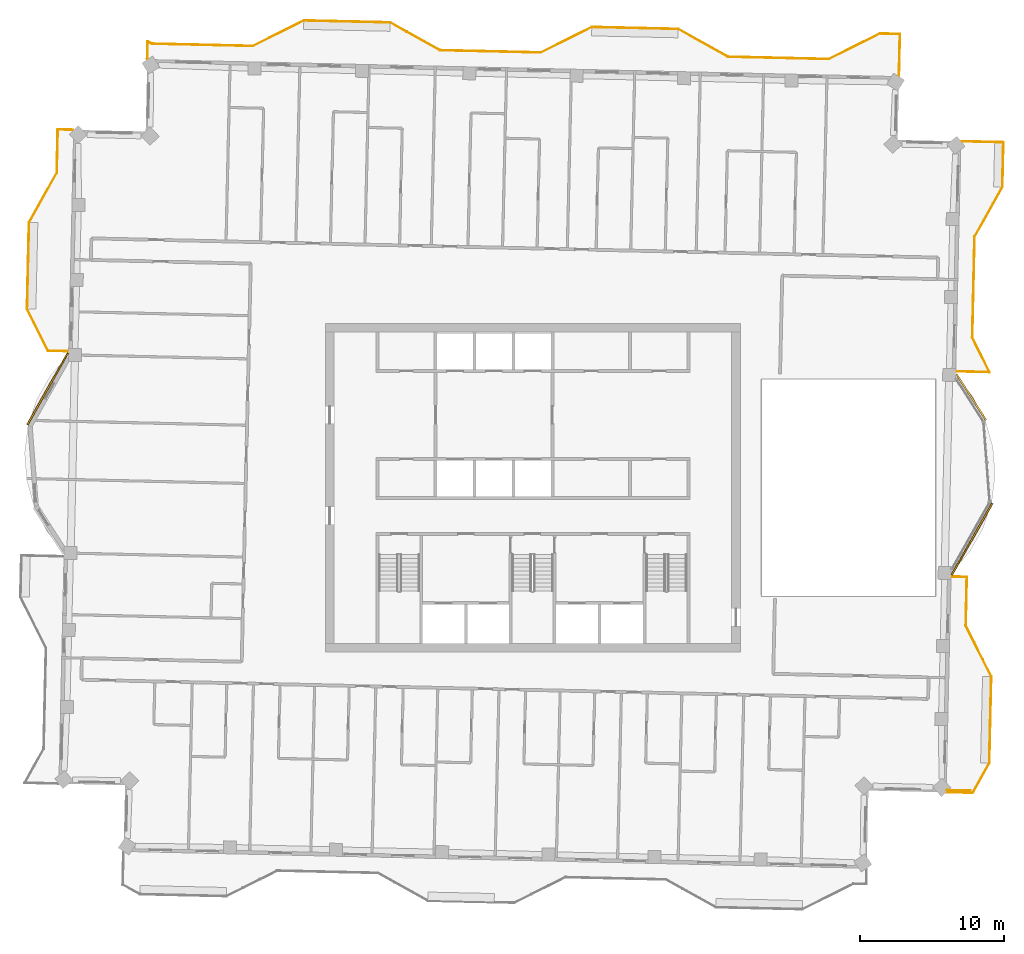
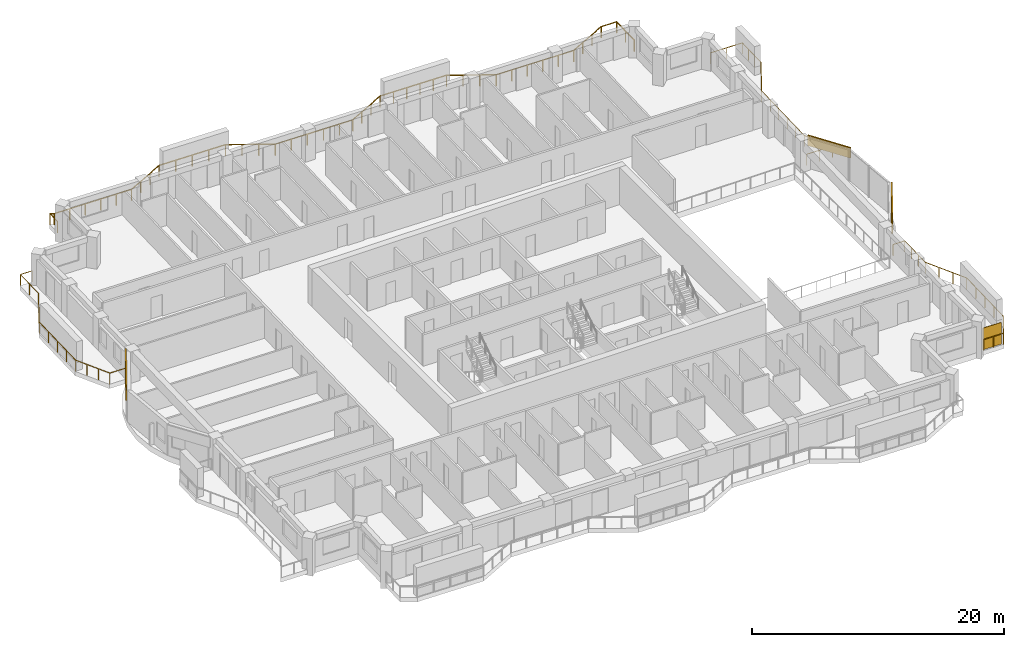
# One storey, part 15 of 15: 4 railings, 3 coverings, 1 shading device.
"""IFC4 building model written with IfcOpenShell, lengths in metres."""

from ifc_helpers import new_model, si_unit, direction, frame, frame_2d, origin, origin_2d, place, context, subcontext, project, spatial, rectangle, extrude, material, layer, layer_set, type_object, element, save


model = new_model("IFC4")

# Units and contexts
model_context = context("Model", 3, precision=1e-05, world=origin(), true_north=direction((0.0, 1.0)))
body_context = subcontext(model_context, "Body", "Model", "MODEL_VIEW")
ifc_project = project(units=[si_unit("LENGTHUNIT", "METRE"), si_unit("AREAUNIT", "SQUARE_METRE"), si_unit("VOLUMEUNIT", "CUBIC_METRE"), si_unit("PLANEANGLEUNIT", "RADIAN"), si_unit("MASSUNIT", "GRAM", prefix="KILO")], contexts=[model_context])

# Site, building, storey
site_placement = place(None, origin())
site = spatial("IfcSite", under=ifc_project, at=site_placement, CompositionType="ELEMENT")
building_placement = place(site_placement, origin())
building = spatial("IfcBuilding", under=site, at=building_placement, Name="Mangrove Gate Tower", CompositionType="ELEMENT")
storey_placement = place(building_placement, frame((0.0, 0.0, 313.300048828125)))
storey = spatial("IfcBuildingStorey", under=building, at=storey_placement, Name="L80", CompositionType="ELEMENT", Elevation=313.300048828125)

# Railings
ifc_material_1 = material(Name="Stainless steel grade 316 with laminated glass infill", Category="steel")
railing_type = type_object("IfcRailingType", Name="Balcony guard 1100", PredefinedType="GUARDRAIL", material=ifc_material_1)
railing_1_placement = place(storey_placement, frame((28.73095703125, -21.14404296875, 0.0)))
element("IfcRailing", 1, at=railing_1_placement, inside=storey, type_object=railing_type, Name="GUARD L80 E1", PredefinedType="GUARDRAIL", context=body_context, shape_type="SweptSolid", body=[
    extrude(rectangle(XDim=0.048095703125, YDim=0.048095703125, at=origin_2d()), frame((0.0, 0.0, 1.076171875), z_axis=(0.999740222102, -0.022792286241, 0.0), x_axis=(0.022792286241, 0.999740222102, 0.0)), (0.0, 0.0, 1.0), 1.799560546875),
    extrude(rectangle(XDim=0.048095703125, YDim=0.048095703125, at=origin_2d()), frame((1.799072265625, -0.041015625, 1.076171875), z_axis=(0.487316968257, 0.873225155644, 0.0), x_axis=(-0.873225155644, 0.487316968257, 0.0)), (0.0, 0.0, 1.0), 2.376220703125),
    extrude(rectangle(XDim=0.048095703125, YDim=0.048095703125, at=origin_2d()), frame((2.95703125, 2.033935546875, 1.076171875), z_axis=(0.022665943652, 0.999743094499, 0.0), x_axis=(-0.999743094499, 0.022665943652, 0.0)), (0.0, 0.0, 1.0), 5.99951171875),
    extrude(rectangle(XDim=0.048095703125, YDim=0.048095703125, at=origin_2d()), frame((3.093017578125, 8.031982421875, 1.076171875), z_axis=(-0.447114919141, 0.894476522376, 0.0), x_axis=(-0.894476522376, -0.447114919141, 0.0)), (0.0, 0.0, 1.0), 3.958740234375),
    extrude(rectangle(XDim=0.048095703125, YDim=0.048095703125, at=origin_2d()), frame((1.322998046875, 11.572998046875, 1.076171875), z_axis=(0.022497922048, 0.999746889719, 0.0), x_axis=(-0.999746889719, 0.022497922048, 0.0)), (0.0, 0.0, 1.0), 3.374755859375),
    extrude(rectangle(XDim=0.048095703125, YDim=0.048095703125, at=origin_2d()), frame((1.39892578125, 14.947021484375, 1.076171875), z_axis=(-0.999745272039, 0.02256969285, 0.0), x_axis=(-0.02256969285, -0.999745272039, 0.0)), (0.0, 0.0, 1.0), 1.06005859375),
    extrude(rectangle(XDim=0.0419921875, YDim=0.0419921875, at=origin_2d()), origin(), (0.0, 0.0, 1.0), 1.052001953125),
    extrude(rectangle(XDim=0.0419921875, YDim=0.0419921875, at=origin_2d()), frame((0.8994140625, -0.0205078125, 0.0)), (0.0, 0.0, 1.0), 1.052001953125),
    extrude(rectangle(XDim=0.0419921875, YDim=0.0419921875, at=origin_2d()), frame((1.799072265625, -0.041015625, 0.0)), (0.0, 0.0, 1.0), 1.052001953125),
    extrude(rectangle(XDim=0.0419921875, YDim=0.0419921875, at=origin_2d()), frame((2.3779296875, 0.99658203125, 0.0)), (0.0, 0.0, 1.0), 1.052001953125),
    extrude(rectangle(XDim=0.0419921875, YDim=0.0419921875, at=origin_2d()), frame((2.95703125, 2.033935546875, 0.0)), (0.0, 0.0, 1.0), 1.052001953125),
    extrude(rectangle(XDim=0.0419921875, YDim=0.0419921875, at=origin_2d()), frame((2.990966796875, 3.533447265625, 0.0)), (0.0, 0.0, 1.0), 1.052001953125),
    extrude(rectangle(XDim=0.0419921875, YDim=0.0419921875, at=origin_2d()), frame((3.02490234375, 5.032958984375, 0.0)), (0.0, 0.0, 1.0), 1.052001953125),
    extrude(rectangle(XDim=0.0419921875, YDim=0.0419921875, at=origin_2d()), frame((3.05908203125, 6.532470703125, 0.0)), (0.0, 0.0, 1.0), 1.052001953125),
    extrude(rectangle(XDim=0.0419921875, YDim=0.0419921875, at=origin_2d()), frame((3.093017578125, 8.031982421875, 0.0)), (0.0, 0.0, 1.0), 1.052001953125),
    extrude(rectangle(XDim=0.0419921875, YDim=0.0419921875, at=origin_2d()), frame((2.5029296875, 9.21240234375, 0.0)), (0.0, 0.0, 1.0), 1.052001953125),
    extrude(rectangle(XDim=0.0419921875, YDim=0.0419921875, at=origin_2d()), frame((1.9130859375, 10.392578125, 0.0)), (0.0, 0.0, 1.0), 1.052001953125),
    extrude(rectangle(XDim=0.0419921875, YDim=0.0419921875, at=origin_2d()), frame((1.322998046875, 11.572998046875, 0.0)), (0.0, 0.0, 1.0), 1.052001953125),
    extrude(rectangle(XDim=0.0419921875, YDim=0.0419921875, at=origin_2d()), frame((1.348388671875, 12.69775390625, 0.0)), (0.0, 0.0, 1.0), 1.052001953125),
    extrude(rectangle(XDim=0.0419921875, YDim=0.0419921875, at=origin_2d()), frame((1.37353515625, 13.822265625, 0.0)), (0.0, 0.0, 1.0), 1.052001953125),
    extrude(rectangle(XDim=0.0419921875, YDim=0.0419921875, at=origin_2d()), frame((1.39892578125, 14.947021484375, 0.0)), (0.0, 0.0, 1.0), 1.052001953125),
    extrude(rectangle(XDim=0.0419921875, YDim=0.0419921875, at=origin_2d()), frame((0.339111328125, 14.970947265625, 0.0)), (0.0, 0.0, 1.0), 1.052001953125),
])
railing_2_placement = place(storey_placement, frame((29.39404296875, 8.073974609375, 0.0)))
element("IfcRailing", 2, at=railing_2_placement, inside=storey, type_object=railing_type, Name="GUARD L80 E2", PredefinedType="GUARDRAIL", context=body_context, shape_type="SweptSolid", body=[
    extrude(rectangle(XDim=0.048095703125, YDim=0.048095703125, at=origin_2d()), frame((0.0, 0.0, 1.076171875), z_axis=(0.999738009607, -0.022889127251, 0.0), x_axis=(0.022889127251, 0.999738009607, 0.0)), (0.0, 0.0, 1.0), 2.314453125),
    extrude(rectangle(XDim=0.048095703125, YDim=0.048095703125, at=origin_2d()), frame((2.31396484375, -0.052978515625, 1.076171875), z_axis=(-0.447031829068, 0.894518051132, 0.0), x_axis=(-0.894518051132, -0.447031829068, 0.0)), (0.0, 0.0, 1.0), 2.6865234375),
    extrude(rectangle(XDim=0.048095703125, YDim=0.048095703125, at=origin_2d()), frame((1.113037109375, 2.35009765625, 1.076171875), z_axis=(0.022705559911, 0.999742195543, 0.0), x_axis=(-0.999742195543, 0.022705559911, 0.0)), (0.0, 0.0, 1.0), 6.999755859375),
    extrude(rectangle(XDim=0.048095703125, YDim=0.048095703125, at=origin_2d()), frame((1.27197265625, 9.34814453125, 1.076171875), z_axis=(0.487286324359, 0.873242256246, 0.0), x_axis=(-0.873242256246, 0.487286324359, 0.0)), (0.0, 0.0, 1.0), 3.95849609375),
    extrude(rectangle(XDim=0.048095703125, YDim=0.048095703125, at=origin_2d()), frame((3.200927734375, 12.804931640625, 1.076171875), z_axis=(0.022603330311, 0.999744512092, 0.0), x_axis=(-0.999744512092, 0.022603330311, 0.0)), (0.0, 0.0, 1.0), 3.099853515625),
    extrude(rectangle(XDim=0.048095703125, YDim=0.048095703125, at=origin_2d()), frame((3.27099609375, 15.904052734375, 1.076171875), z_axis=(-0.999743349437, 0.022654696127, 0.0), x_axis=(-0.022654696127, -0.999743349437, 0.0)), (0.0, 0.0, 1.0), 2.90966796875),
    extrude(rectangle(XDim=0.0419921875, YDim=0.0419921875, at=origin_2d()), origin(), (0.0, 0.0, 1.0), 1.052001953125),
    extrude(rectangle(XDim=0.0419921875, YDim=0.0419921875, at=origin_2d()), frame((1.156982421875, -0.0263671875, 0.0)), (0.0, 0.0, 1.0), 1.052001953125),
    extrude(rectangle(XDim=0.0419921875, YDim=0.0419921875, at=origin_2d()), frame((2.31396484375, -0.052978515625, 0.0)), (0.0, 0.0, 1.0), 1.052001953125),
    extrude(rectangle(XDim=0.0419921875, YDim=0.0419921875, at=origin_2d()), frame((1.71337890625, 1.1484375, 0.0)), (0.0, 0.0, 1.0), 1.052001953125),
    extrude(rectangle(XDim=0.0419921875, YDim=0.0419921875, at=origin_2d()), frame((1.113037109375, 2.35009765625, 0.0)), (0.0, 0.0, 1.0), 1.052001953125),
    extrude(rectangle(XDim=0.0419921875, YDim=0.0419921875, at=origin_2d()), frame((1.144775390625, 3.749755859375, 0.0)), (0.0, 0.0, 1.0), 1.052001953125),
    extrude(rectangle(XDim=0.0419921875, YDim=0.0419921875, at=origin_2d()), frame((1.176513671875, 5.1494140625, 0.0)), (0.0, 0.0, 1.0), 1.052001953125),
    extrude(rectangle(XDim=0.0419921875, YDim=0.0419921875, at=origin_2d()), frame((1.20849609375, 6.548828125, 0.0)), (0.0, 0.0, 1.0), 1.052001953125),
    extrude(rectangle(XDim=0.0419921875, YDim=0.0419921875, at=origin_2d()), frame((1.240234375, 7.948486328125, 0.0)), (0.0, 0.0, 1.0), 1.052001953125),
    extrude(rectangle(XDim=0.0419921875, YDim=0.0419921875, at=origin_2d()), frame((1.27197265625, 9.34814453125, 0.0)), (0.0, 0.0, 1.0), 1.052001953125),
    extrude(rectangle(XDim=0.0419921875, YDim=0.0419921875, at=origin_2d()), frame((1.9150390625, 10.50048828125, 0.0)), (0.0, 0.0, 1.0), 1.052001953125),
    extrude(rectangle(XDim=0.0419921875, YDim=0.0419921875, at=origin_2d()), frame((2.557861328125, 11.652587890625, 0.0)), (0.0, 0.0, 1.0), 1.052001953125),
    extrude(rectangle(XDim=0.0419921875, YDim=0.0419921875, at=origin_2d()), frame((3.200927734375, 12.804931640625, 0.0)), (0.0, 0.0, 1.0), 1.052001953125),
    extrude(rectangle(XDim=0.0419921875, YDim=0.0419921875, at=origin_2d()), frame((3.224365234375, 13.837890625, 0.0)), (0.0, 0.0, 1.0), 1.052001953125),
    extrude(rectangle(XDim=0.0419921875, YDim=0.0419921875, at=origin_2d()), frame((3.24755859375, 14.87109375, 0.0)), (0.0, 0.0, 1.0), 1.052001953125),
    extrude(rectangle(XDim=0.0419921875, YDim=0.0419921875, at=origin_2d()), frame((3.27099609375, 15.904052734375, 0.0)), (0.0, 0.0, 1.0), 1.052001953125),
    extrude(rectangle(XDim=0.0419921875, YDim=0.0419921875, at=origin_2d()), frame((1.81640625, 15.93701171875, 0.0)), (0.0, 0.0, 1.0), 1.052001953125),
    extrude(rectangle(XDim=0.0419921875, YDim=0.0419921875, at=origin_2d()), frame((0.362060546875, 15.969970703125, 0.0)), (0.0, 0.0, 1.0), 1.052001953125),
])
railing_3_placement = place(storey_placement, frame((25.41796875, 28.583984375, 0.0)))
element("IfcRailing", 3, at=railing_3_placement, inside=storey, type_object=railing_type, Name="GUARD L80 N1", PredefinedType="GUARDRAIL", context=body_context, shape_type="SweptSolid", body=[
    extrude(rectangle(XDim=0.048095703125, YDim=0.048095703125, at=origin_2d()), frame((0.0, 0.0, 1.076171875), z_axis=(0.022654696127, 0.999743349437, 0.0), x_axis=(-0.999743349437, 0.022654696127, 0.0)), (0.0, 0.0, 1.0), 2.90966796875),
    extrude(rectangle(XDim=0.048095703125, YDim=0.048095703125, at=origin_2d()), frame((0.06591796875, 2.908935546875, 1.076171875), z_axis=(-0.999739128131, 0.022840220751, 0.0), x_axis=(-0.022840220751, -0.999739128131, 0.0)), (0.0, 0.0, 1.0), 1.400146484375),
    extrude(rectangle(XDim=0.048095703125, YDim=0.048095703125, at=origin_2d()), frame((-1.333984375, 2.94091796875, 1.076171875), z_axis=(-0.894476522376, -0.447114919141, 0.0), x_axis=(0.447114919141, -0.894476522376, 0.0)), (0.0, 0.0, 1.0), 3.958740234375),
    extrude(rectangle(XDim=0.048095703125, YDim=0.048095703125, at=origin_2d()), frame((-4.875, 1.1708984375, 1.076171875), z_axis=(-0.999741403216, 0.022740419861, 0.0), x_axis=(-0.022740419861, -0.999741403216, 0.0)), (0.0, 0.0, 1.0), 6.999755859375),
    extrude(rectangle(XDim=0.048095703125, YDim=0.048095703125, at=origin_2d()), frame((-11.873046875, 1.330078125, 1.076171875), z_axis=(-0.87325689943, 0.48726008209, 0.0), x_axis=(-0.48726008209, -0.87325689943, 0.0)), (0.0, 0.0, 1.0), 3.958740234375),
    extrude(rectangle(XDim=0.048095703125, YDim=0.048095703125, at=origin_2d()), frame((-15.330078125, 3.259033203125, 1.076171875), z_axis=(-0.999743157205, 0.022663177671, 0.0), x_axis=(-0.022663177671, -0.999743157205, 0.0)), (0.0, 0.0, 1.0), 6.000244140625),
    extrude(rectangle(XDim=0.048095703125, YDim=0.048095703125, at=origin_2d()), frame((-21.328857421875, 3.39501953125, 1.076171875), z_axis=(-0.894476522376, -0.447114919141, 0.0), x_axis=(0.447114919141, -0.894476522376, 0.0)), (0.0, 0.0, 1.0), 3.958740234375),
    extrude(rectangle(XDim=0.048095703125, YDim=0.048095703125, at=origin_2d()), frame((-24.869873046875, 1.625, 1.076171875), z_axis=(-0.999744665362, 0.022596550164, 0.0), x_axis=(-0.022596550164, -0.999744665362, 0.0)), (0.0, 0.0, 1.0), 1.19921875),
    extrude(rectangle(XDim=0.048095703125, YDim=0.048095703125, at=origin_2d()), frame((-26.06884765625, 1.652099609375, 1.076171875), z_axis=(-0.999745494703, 0.022559827607, 0.0), x_axis=(-0.022559827607, -0.999745494703, 0.0)), (0.0, 0.0, 1.0), 5.800537109375),
    extrude(rectangle(XDim=0.048095703125, YDim=0.048095703125, at=origin_2d()), frame((-31.867919921875, 1.782958984375, 1.076171875), z_axis=(-0.87325689943, 0.48726008209, 0.0), x_axis=(-0.48726008209, -0.87325689943, 0.0)), (0.0, 0.0, 1.0), 3.958740234375),
    extrude(rectangle(XDim=0.048095703125, YDim=0.048095703125, at=origin_2d()), frame((-35.324951171875, 3.7119140625, 1.076171875), z_axis=(-0.999743094499, 0.022665943652, 0.0), x_axis=(-0.022665943652, -0.999743094499, 0.0)), (0.0, 0.0, 1.0), 5.99951171875),
    extrude(rectangle(XDim=0.048095703125, YDim=0.048095703125, at=origin_2d()), frame((-41.322998046875, 3.847900390625, 1.076171875), z_axis=(-0.894501186021, -0.447065574839, 0.0), x_axis=(0.447065574839, -0.894501186021, 0.0)), (0.0, 0.0, 1.0), 3.958740234375),
    extrude(rectangle(XDim=0.048095703125, YDim=0.048095703125, at=origin_2d()), frame((-44.864013671875, 2.078125, 1.076171875), z_axis=(-0.999742267452, 0.022702393474, 0.0), x_axis=(-0.022702393474, -0.999742267452, 0.0)), (0.0, 0.0, 1.0), 7.000732421875),
    extrude(rectangle(XDim=0.048095703125, YDim=0.048095703125, at=origin_2d()), frame((-51.863037109375, 2.237060546875, 1.076171875), z_axis=(-0.873340294454, 0.487110593277, 0.0), x_axis=(-0.487110593277, -0.873340294454, 0.0)), (0.0, 0.0, 1.0), 0.3388671875),
    extrude(rectangle(XDim=0.048095703125, YDim=0.048095703125, at=origin_2d()), frame((-52.158935546875, 2.402099609375, 1.076171875), z_axis=(-0.02224344294, -0.999752584016, 0.0), x_axis=(0.999752584016, -0.02224344294, 0.0)), (0.0, 0.0, 1.0), 1.21826171875),
    extrude(rectangle(XDim=0.0419921875, YDim=0.0419921875, at=origin_2d()), origin(), (0.0, 0.0, 1.0), 1.052001953125),
    extrude(rectangle(XDim=0.0419921875, YDim=0.0419921875, at=origin_2d()), frame((0.032958984375, 1.45458984375, 0.0)), (0.0, 0.0, 1.0), 1.052001953125),
    extrude(rectangle(XDim=0.0419921875, YDim=0.0419921875, at=origin_2d()), frame((0.06591796875, 2.908935546875, 0.0)), (0.0, 0.0, 1.0), 1.052001953125),
    extrude(rectangle(XDim=0.0419921875, YDim=0.0419921875, at=origin_2d()), frame((-1.333984375, 2.94091796875, 0.0)), (0.0, 0.0, 1.0), 1.052001953125),
    extrude(rectangle(XDim=0.0419921875, YDim=0.0419921875, at=origin_2d()), frame((-2.514404296875, 2.350830078125, 0.0)), (0.0, 0.0, 1.0), 1.052001953125),
    extrude(rectangle(XDim=0.0419921875, YDim=0.0419921875, at=origin_2d()), frame((-3.694580078125, 1.760986328125, 0.0)), (0.0, 0.0, 1.0), 1.052001953125),
    extrude(rectangle(XDim=0.0419921875, YDim=0.0419921875, at=origin_2d()), frame((-4.875, 1.1708984375, 0.0)), (0.0, 0.0, 1.0), 1.052001953125),
    extrude(rectangle(XDim=0.0419921875, YDim=0.0419921875, at=origin_2d()), frame((-6.274658203125, 1.20263671875, 0.0)), (0.0, 0.0, 1.0), 1.052001953125),
    extrude(rectangle(XDim=0.0419921875, YDim=0.0419921875, at=origin_2d()), frame((-7.67431640625, 1.234619140625, 0.0)), (0.0, 0.0, 1.0), 1.052001953125),
    extrude(rectangle(XDim=0.0419921875, YDim=0.0419921875, at=origin_2d()), frame((-9.07373046875, 1.266357421875, 0.0)), (0.0, 0.0, 1.0), 1.052001953125),
    extrude(rectangle(XDim=0.0419921875, YDim=0.0419921875, at=origin_2d()), frame((-10.473388671875, 1.29833984375, 0.0)), (0.0, 0.0, 1.0), 1.052001953125),
    extrude(rectangle(XDim=0.0419921875, YDim=0.0419921875, at=origin_2d()), frame((-11.873046875, 1.330078125, 0.0)), (0.0, 0.0, 1.0), 1.052001953125),
    extrude(rectangle(XDim=0.0419921875, YDim=0.0419921875, at=origin_2d()), frame((-13.025390625, 1.97314453125, 0.0)), (0.0, 0.0, 1.0), 1.052001953125),
    extrude(rectangle(XDim=0.0419921875, YDim=0.0419921875, at=origin_2d()), frame((-14.177734375, 2.615966796875, 0.0)), (0.0, 0.0, 1.0), 1.052001953125),
    extrude(rectangle(XDim=0.0419921875, YDim=0.0419921875, at=origin_2d()), frame((-15.330078125, 3.259033203125, 0.0)), (0.0, 0.0, 1.0), 1.052001953125),
    extrude(rectangle(XDim=0.0419921875, YDim=0.0419921875, at=origin_2d()), frame((-16.52978515625, 3.2861328125, 0.0)), (0.0, 0.0, 1.0), 1.052001953125),
    extrude(rectangle(XDim=0.0419921875, YDim=0.0419921875, at=origin_2d()), frame((-17.7294921875, 3.3134765625, 0.0)), (0.0, 0.0, 1.0), 1.052001953125),
    extrude(rectangle(XDim=0.0419921875, YDim=0.0419921875, at=origin_2d()), frame((-18.929443359375, 3.340576171875, 0.0)), (0.0, 0.0, 1.0), 1.052001953125),
    extrude(rectangle(XDim=0.0419921875, YDim=0.0419921875, at=origin_2d()), frame((-20.129150390625, 3.367919921875, 0.0)), (0.0, 0.0, 1.0), 1.052001953125),
    extrude(rectangle(XDim=0.0419921875, YDim=0.0419921875, at=origin_2d()), frame((-21.328857421875, 3.39501953125, 0.0)), (0.0, 0.0, 1.0), 1.052001953125),
    extrude(rectangle(XDim=0.0419921875, YDim=0.0419921875, at=origin_2d()), frame((-22.50927734375, 2.804931640625, 0.0)), (0.0, 0.0, 1.0), 1.052001953125),
    extrude(rectangle(XDim=0.0419921875, YDim=0.0419921875, at=origin_2d()), frame((-23.689453125, 2.215087890625, 0.0)), (0.0, 0.0, 1.0), 1.052001953125),
    extrude(rectangle(XDim=0.0419921875, YDim=0.0419921875, at=origin_2d()), frame((-24.869873046875, 1.625, 0.0)), (0.0, 0.0, 1.0), 1.052001953125),
    extrude(rectangle(XDim=0.0419921875, YDim=0.0419921875, at=origin_2d()), frame((-26.06884765625, 1.652099609375, 0.0)), (0.0, 0.0, 1.0), 1.052001953125),
    extrude(rectangle(XDim=0.0419921875, YDim=0.0419921875, at=origin_2d()), frame((-27.5185546875, 1.684814453125, 0.0)), (0.0, 0.0, 1.0), 1.052001953125),
    extrude(rectangle(XDim=0.0419921875, YDim=0.0419921875, at=origin_2d()), frame((-28.96826171875, 1.717529296875, 0.0)), (0.0, 0.0, 1.0), 1.052001953125),
    extrude(rectangle(XDim=0.0419921875, YDim=0.0419921875, at=origin_2d()), frame((-30.418212890625, 1.750244140625, 0.0)), (0.0, 0.0, 1.0), 1.052001953125),
    extrude(rectangle(XDim=0.0419921875, YDim=0.0419921875, at=origin_2d()), frame((-31.867919921875, 1.782958984375, 0.0)), (0.0, 0.0, 1.0), 1.052001953125),
    extrude(rectangle(XDim=0.0419921875, YDim=0.0419921875, at=origin_2d()), frame((-33.020263671875, 2.426025390625, 0.0)), (0.0, 0.0, 1.0), 1.052001953125),
    extrude(rectangle(XDim=0.0419921875, YDim=0.0419921875, at=origin_2d()), frame((-34.172607421875, 3.06884765625, 0.0)), (0.0, 0.0, 1.0), 1.052001953125),
    extrude(rectangle(XDim=0.0419921875, YDim=0.0419921875, at=origin_2d()), frame((-35.324951171875, 3.7119140625, 0.0)), (0.0, 0.0, 1.0), 1.052001953125),
    extrude(rectangle(XDim=0.0419921875, YDim=0.0419921875, at=origin_2d()), frame((-36.824462890625, 3.745849609375, 0.0)), (0.0, 0.0, 1.0), 1.052001953125),
    extrude(rectangle(XDim=0.0419921875, YDim=0.0419921875, at=origin_2d()), frame((-38.323974609375, 3.77978515625, 0.0)), (0.0, 0.0, 1.0), 1.052001953125),
    extrude(rectangle(XDim=0.0419921875, YDim=0.0419921875, at=origin_2d()), frame((-39.823486328125, 3.81396484375, 0.0)), (0.0, 0.0, 1.0), 1.052001953125),
    extrude(rectangle(XDim=0.0419921875, YDim=0.0419921875, at=origin_2d()), frame((-41.322998046875, 3.847900390625, 0.0)), (0.0, 0.0, 1.0), 1.052001953125),
    extrude(rectangle(XDim=0.0419921875, YDim=0.0419921875, at=origin_2d()), frame((-42.50341796875, 3.258056640625, 0.0)), (0.0, 0.0, 1.0), 1.052001953125),
    extrude(rectangle(XDim=0.0419921875, YDim=0.0419921875, at=origin_2d()), frame((-43.68359375, 2.66796875, 0.0)), (0.0, 0.0, 1.0), 1.052001953125),
    extrude(rectangle(XDim=0.0419921875, YDim=0.0419921875, at=origin_2d()), frame((-44.864013671875, 2.078125, 0.0)), (0.0, 0.0, 1.0), 1.052001953125),
    extrude(rectangle(XDim=0.0419921875, YDim=0.0419921875, at=origin_2d()), frame((-46.263916015625, 2.10986328125, 0.0)), (0.0, 0.0, 1.0), 1.052001953125),
    extrude(rectangle(XDim=0.0419921875, YDim=0.0419921875, at=origin_2d()), frame((-47.66357421875, 2.1416015625, 0.0)), (0.0, 0.0, 1.0), 1.052001953125),
    extrude(rectangle(XDim=0.0419921875, YDim=0.0419921875, at=origin_2d()), frame((-49.0634765625, 2.173583984375, 0.0)), (0.0, 0.0, 1.0), 1.052001953125),
    extrude(rectangle(XDim=0.0419921875, YDim=0.0419921875, at=origin_2d()), frame((-50.463134765625, 2.205322265625, 0.0)), (0.0, 0.0, 1.0), 1.052001953125),
    extrude(rectangle(XDim=0.0419921875, YDim=0.0419921875, at=origin_2d()), frame((-51.863037109375, 2.237060546875, 0.0)), (0.0, 0.0, 1.0), 1.052001953125),
    extrude(rectangle(XDim=0.0419921875, YDim=0.0419921875, at=origin_2d()), frame((-52.158935546875, 2.402099609375, 0.0)), (0.0, 0.0, 1.0), 1.052001953125),
    extrude(rectangle(XDim=0.0419921875, YDim=0.0419921875, at=origin_2d()), frame((-52.18603515625, 1.18408203125, 0.0)), (0.0, 0.0, 1.0), 1.052001953125),
])
railing_4_placement = place(storey_placement, frame((-31.922119140625, 24.843994140625, 0.0)))
element("IfcRailing", 4, at=railing_4_placement, inside=storey, type_object=railing_type, Name="GUARD L80 W1", PredefinedType="GUARDRAIL", context=body_context, shape_type="SweptSolid", body=[
    extrude(rectangle(XDim=0.048095703125, YDim=0.048095703125, at=origin_2d()), frame((0.0, 0.0, 1.076171875), z_axis=(-0.999744802133, 0.022590498181, 0.0), x_axis=(-0.022590498181, -0.999744802133, 0.0)), (0.0, 0.0, 1.0), 1.05908203125),
    extrude(rectangle(XDim=0.048095703125, YDim=0.048095703125, at=origin_2d()), frame((-1.058837890625, 0.02392578125, 1.076171875), z_axis=(-0.022706615587, -0.999742171567, 0.0), x_axis=(0.999742171567, -0.022706615587, 0.0)), (0.0, 0.0, 1.0), 2.999755859375),
    extrude(rectangle(XDim=0.048095703125, YDim=0.048095703125, at=origin_2d()), frame((-1.126953125, -2.97509765625, 1.076171875), z_axis=(-0.487155136876, -0.873315448515, 0.0), x_axis=(0.873315448515, -0.487155136876, 0.0)), (0.0, 0.0, 1.0), 3.959716796875),
    extrude(rectangle(XDim=0.048095703125, YDim=0.048095703125, at=origin_2d()), frame((-3.055908203125, -6.43310546875, 1.076171875), z_axis=(-0.022666865795, -0.999743073592, 0.0), x_axis=(0.999743073592, -0.022666865795, 0.0)), (0.0, 0.0, 1.0), 5.999267578125),
    extrude(rectangle(XDim=0.048095703125, YDim=0.048095703125, at=origin_2d()), frame((-3.19189453125, -12.430908203125, 1.076171875), z_axis=(0.446973271149, -0.894547312823, 0.0), x_axis=(0.894547312823, 0.446973271149, 0.0)), (0.0, 0.0, 1.0), 3.2509765625),
    extrude(rectangle(XDim=0.048095703125, YDim=0.048095703125, at=origin_2d()), frame((-1.73876953125, -15.339111328125, 1.076171875), z_axis=(0.999735729934, -0.022988481766, 0.0), x_axis=(0.022988481766, 0.999735729934, 0.0)), (0.0, 0.0, 1.0), 1.391357421875),
    extrude(rectangle(XDim=0.0419921875, YDim=0.0419921875, at=origin_2d()), origin(), (0.0, 0.0, 1.0), 1.052001953125),
    extrude(rectangle(XDim=0.0419921875, YDim=0.0419921875, at=origin_2d()), frame((-1.058837890625, 0.02392578125, 0.0)), (0.0, 0.0, 1.0), 1.052001953125),
    extrude(rectangle(XDim=0.0419921875, YDim=0.0419921875, at=origin_2d()), frame((-1.0927734375, -1.4755859375, 0.0)), (0.0, 0.0, 1.0), 1.052001953125),
    extrude(rectangle(XDim=0.0419921875, YDim=0.0419921875, at=origin_2d()), frame((-1.126953125, -2.97509765625, 0.0)), (0.0, 0.0, 1.0), 1.052001953125),
    extrude(rectangle(XDim=0.0419921875, YDim=0.0419921875, at=origin_2d()), frame((-1.77001953125, -4.127685546875, 0.0)), (0.0, 0.0, 1.0), 1.052001953125),
    extrude(rectangle(XDim=0.0419921875, YDim=0.0419921875, at=origin_2d()), frame((-2.412841796875, -5.280517578125, 0.0)), (0.0, 0.0, 1.0), 1.052001953125),
    extrude(rectangle(XDim=0.0419921875, YDim=0.0419921875, at=origin_2d()), frame((-3.055908203125, -6.43310546875, 0.0)), (0.0, 0.0, 1.0), 1.052001953125),
    extrude(rectangle(XDim=0.0419921875, YDim=0.0419921875, at=origin_2d()), frame((-3.08984375, -7.9326171875, 0.0)), (0.0, 0.0, 1.0), 1.052001953125),
    extrude(rectangle(XDim=0.0419921875, YDim=0.0419921875, at=origin_2d()), frame((-3.1240234375, -9.43212890625, 0.0)), (0.0, 0.0, 1.0), 1.052001953125),
    extrude(rectangle(XDim=0.0419921875, YDim=0.0419921875, at=origin_2d()), frame((-3.157958984375, -10.931396484375, 0.0)), (0.0, 0.0, 1.0), 1.052001953125),
    extrude(rectangle(XDim=0.0419921875, YDim=0.0419921875, at=origin_2d()), frame((-3.19189453125, -12.430908203125, 0.0)), (0.0, 0.0, 1.0), 1.052001953125),
    extrude(rectangle(XDim=0.0419921875, YDim=0.0419921875, at=origin_2d()), frame((-2.70751953125, -13.400390625, 0.0)), (0.0, 0.0, 1.0), 1.052001953125),
    extrude(rectangle(XDim=0.0419921875, YDim=0.0419921875, at=origin_2d()), frame((-2.22314453125, -14.36962890625, 0.0)), (0.0, 0.0, 1.0), 1.052001953125),
    extrude(rectangle(XDim=0.0419921875, YDim=0.0419921875, at=origin_2d()), frame((-1.73876953125, -15.339111328125, 0.0)), (0.0, 0.0, 1.0), 1.052001953125),
    extrude(rectangle(XDim=0.0419921875, YDim=0.0419921875, at=origin_2d()), frame((-0.347900390625, -15.37109375, 0.0)), (0.0, 0.0, 1.0), 1.052001953125),
])

# Shading device
ifc_material_2 = material(Name="Timber slat screen in teak", Category="wood")
shading_device_type = type_object("IfcShadingDeviceType", Name="Balcony screen 2100", PredefinedType="USERDEFINED", material=ifc_material_2)
shading_device_placement = place(storey_placement, frame((29.553955078125, -21.02294921875, 0.0), z_axis=(0.0, 0.0, 1.0), x_axis=(0.999738235243, -0.022879269956, 0.0)))
element("IfcShadingDevice", 5, at=shading_device_placement, inside=storey, type_object=shading_device_type, Name="SCREEN L80 E0", ObjectType="SCREEN", PredefinedType="USERDEFINED", context=body_context, shape_type="SweptSolid", body=[
    extrude(rectangle(XDim=1.678955078125, YDim=0.050048828125, at=origin_2d()), origin(), (0.0, 0.0, 1.0), 2.10009765625),
])

# Coverings
ifc_material_3 = material(Name="Limestone", Category="masonry")
ifc_layer_1 = layer(ifc_material_3, 0.0400390625, Name="Limestone cladding")
ifc_material_4 = material(Name="Stainless steel anchors and cavity", Category="steel")
ifc_layer_2 = layer(ifc_material_4, 0.080078125, Name="Fixing cavity")
ifc_layer_set = layer_set([ifc_layer_1, ifc_layer_2], Name="Joint fascia cladding 120")
covering_type = type_object("IfcCoveringType", Name="Joint fascia cladding 120", PredefinedType="CLADDING", material=ifc_layer_set)
covering_1_placement = place(storey_placement, frame((29.083740234375, -6.0478515625, 2.050048828125), z_axis=(0.0, 0.0, 1.0), x_axis=(0.492470399093, 0.870329194051, 0.0)))
element("IfcCovering", 6, at=covering_1_placement, inside=storey, type_object=covering_type, Name="STONE FASCIA L80 E1.L1", PredefinedType="CLADDING", context=body_context, shape_type="SweptSolid", body=[
    extrude(rectangle(XDim=5.70458984375, YDim=0.1201171875, at=frame_2d((2.852294921875, 0.0))), origin(), (0.0, 0.0, 1.0), 1.0),
])
covering_2_placement = place(storey_placement, frame((31.4580078125, 4.69091796875, 2.050048828125), z_axis=(0.0, 0.0, 1.0), x_axis=(-0.540573367362, 0.841296876554, 0.0)))
element("IfcCovering", 7, at=covering_2_placement, inside=storey, type_object=covering_type, Name="STONE FASCIA L80 E1.L2", PredefinedType="CLADDING", context=body_context, shape_type="SweptSolid", body=[
    extrude(rectangle(XDim=3.818115234375, YDim=0.1201171875, at=frame_2d((1.9091796875, 0.0))), origin(), (0.0, 0.0, 1.0), 1.0),
])
covering_3_placement = place(storey_placement, frame((-32.28369140625, 9.347900390625, 2.050048828125), z_axis=(0.0, 0.0, 1.0), x_axis=(-0.492470399093, -0.870329194051, 0.0)))
element("IfcCovering", 8, at=covering_3_placement, inside=storey, type_object=covering_type, Name="STONE FASCIA L80 W9.L1", PredefinedType="CLADDING", context=body_context, shape_type="SweptSolid", body=[
    extrude(rectangle(XDim=5.70458984375, YDim=0.1201171875, at=frame_2d((2.852294921875, 0.0))), origin(), (0.0, 0.0, 1.0), 1.0),
])

save(model, "model.ifc")
